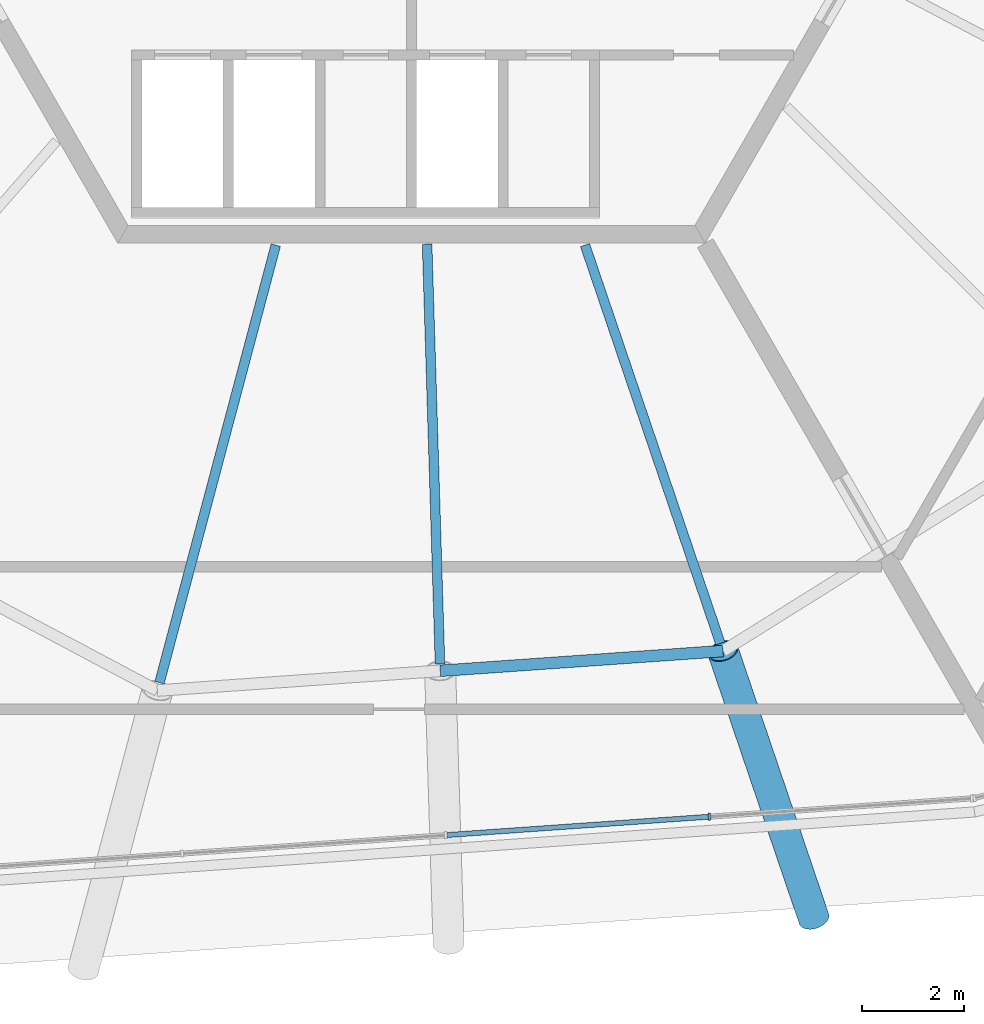
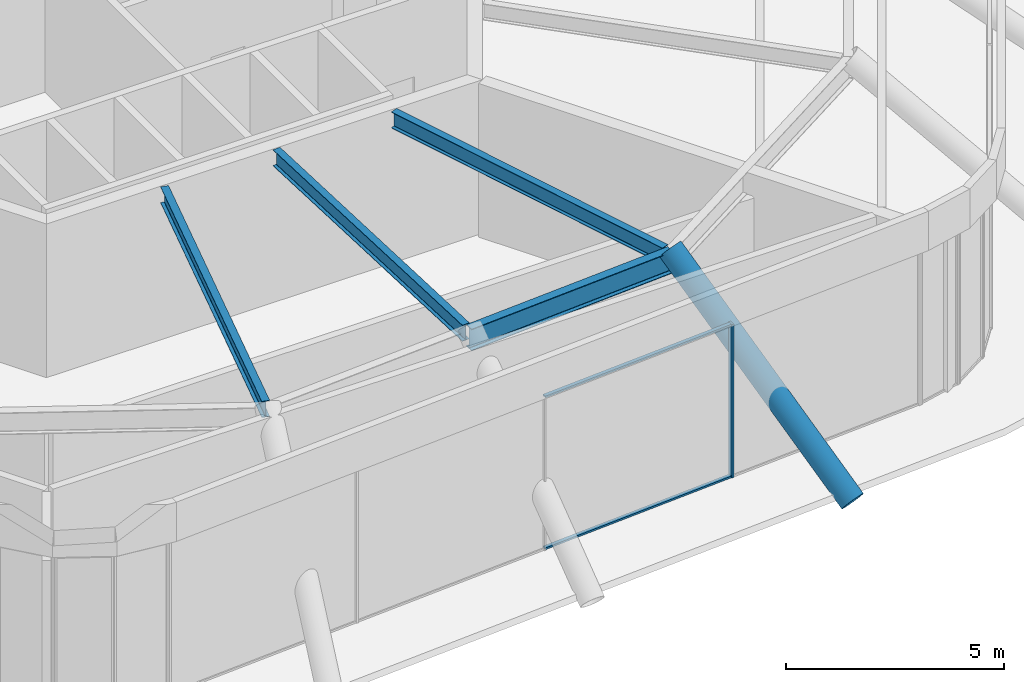
# One storey, part 2 of 13: 4 beams, 4 members, 1 element without a shape of its own.
"""IFC4 building model written with IfcOpenShell, lengths in metres."""

from ifc_helpers import new_model, si_unit, direction, frame, origin, origin_2d, place, context, subcontext, project, spatial, rectangle, hollow_circle, i_section, extrude, material, material_profile, profile_set, type_object, element, aggregate, save


model = new_model("IFC4")

# Units and contexts
model_context = context("Model", 3, precision=1e-05, world=origin(), true_north=direction((0.0, 1.0)))
body_context = subcontext(model_context, "Body", "Model", "MODEL_VIEW")
ifc_project = project(units=[si_unit("LENGTHUNIT", "METRE"), si_unit("AREAUNIT", "SQUARE_METRE"), si_unit("VOLUMEUNIT", "CUBIC_METRE"), si_unit("PLANEANGLEUNIT", "RADIAN"), si_unit("MASSUNIT", "GRAM", prefix="KILO")], contexts=[model_context])

# Site, building, storey
site_placement = place(None, origin())
site = spatial("IfcSite", under=ifc_project, at=site_placement, CompositionType="ELEMENT")
building_placement = place(site_placement, origin())
building = spatial("IfcBuilding", under=site, at=building_placement, Name="Tarnside Tower", CompositionType="ELEMENT")
storey_placement = place(building_placement, frame((0.0, 0.0, 388.199951171875)))
storey = spatial("IfcBuildingStorey", under=building, at=storey_placement, Name="L92", CompositionType="ELEMENT", Elevation=388.199951171875)

# Curtain wall, members
ifc_material_1 = material(Name="Crown glazing wall", Category="glass")
curtain_wall_type = type_object("IfcCurtainWallType", Name="Crown glazing wall", PredefinedType="NOTDEFINED", material=ifc_material_1)
curtain_wall_placement = place(storey_placement, origin())
curtain_wall = element("IfcCurtainWall", 1, at=curtain_wall_placement, inside=storey, type_object=curtain_wall_type, Name="Crown glazing L92 12", PredefinedType="NOTDEFINED")
ifc_material_2 = material(Name="Aluminium alloy 6063", Category="aluminium")
ifc_material_profile_1 = material_profile(ifc_material_2, rectangle(XDim=0.139892578125, YDim=0.050048828125, at=origin_2d()), Name="Crown glazing mullion 50 x 140")
ifc_profile_set_1 = profile_set([ifc_material_profile_1], Name="Aluminium alloy 6063")
member_type_1 = type_object("IfcMemberType", Name="Crown glazing mullion 50 x 140", PredefinedType="MULLION", material=ifc_profile_set_1)
member_1_placement = place(storey_placement, frame((5.85595703125, -21.2734375, 0.0), z_axis=(0.0, 0.0, 1.0), x_axis=(0.069756473744, -0.99756405026, 0.0)))
member_1 = element("IfcMember", 2, at=member_1_placement, type_object=member_type_1, Name="CW6 mullion 2", PredefinedType="MULLION", context=body_context, shape_type="SweptSolid", body=[
    extrude(rectangle(XDim=0.139892578125, YDim=0.050048828125, at=origin_2d()), origin(), (0.0, 0.0, 1.0), 4.300048828125),
])
ifc_material_profile_2 = material_profile(ifc_material_2, rectangle(XDim=0.10009765625, YDim=0.050048828125, at=origin_2d()), Name="Crown glazing transom 50 x 100")
ifc_profile_set_2 = profile_set([ifc_material_profile_2], Name="Aluminium alloy 6063")
member_type_2 = type_object("IfcMemberType", Name="Crown glazing transom 50 x 100", PredefinedType="USERDEFINED", material=ifc_profile_set_2)
member_2_placement = place(storey_placement, frame((5.8310546875, -21.275146484375, 0.025146484375), z_axis=(-0.997564055017, -0.069756405712, 0.0), x_axis=(0.069756405712, -0.997564055017, 0.0)))
member_2 = element("IfcMember", 3, at=member_2_placement, type_object=member_type_2, Name="CW6 transom 2.1", ObjectType="TRANSOM", PredefinedType="USERDEFINED", context=body_context, shape_type="SweptSolid", body=[
    extrude(rectangle(XDim=0.10009765625, YDim=0.050048828125, at=origin_2d()), origin(), (0.0, 0.0, 1.0), 5.144775390625),
])
member_3_placement = place(storey_placement, frame((5.8310546875, -21.275146484375, 4.275146484375), z_axis=(-0.997564055017, -0.069756405712, 0.0), x_axis=(0.069756405712, -0.997564055017, 0.0)))
member_3 = element("IfcMember", 4, at=member_3_placement, type_object=member_type_2, Name="CW6 transom 2.2", ObjectType="TRANSOM", PredefinedType="USERDEFINED", context=body_context, shape_type="SweptSolid", body=[
    extrude(rectangle(XDim=0.10009765625, YDim=0.050048828125, at=origin_2d()), origin(), (0.0, 0.0, 1.0), 5.144775390625),
])
aggregate(curtain_wall, [member_1, member_2, member_3])

# Beams
ifc_material_3 = material(Name="Steel S355", Category="steel")
ifc_material_profile_3 = material_profile(ifc_material_3, i_section(OverallWidth=0.18994140625, OverallDepth=0.453369140625, WebThickness=0.008544921875, FlangeThickness=0.0126953125, FilletRadius=0.01025390625, at=origin_2d()), Name="UB 457x191x67")
ifc_profile_set_3 = profile_set([ifc_material_profile_3], Name="Steel S355")
beam_type_1 = type_object("IfcBeamType", Name="Floor beam UB 457x191x67", PredefinedType="BEAM", material=ifc_profile_set_3)
beam_1_placement = place(storey_placement, frame((-4.953125, -18.638916015625, 4.0732421875), z_axis=(0.256820713964, 0.96645906322, 0.0), x_axis=(-0.96645906322, 0.256820713964, 0.0)))
element("IfcBeam", 5, at=beam_1_placement, inside=storey, type_object=beam_type_1, Name="Floor beam RB10", PredefinedType="BEAM", context=body_context, shape_type="SweptSolid", body=[
    extrude(i_section(OverallWidth=0.18994140625, OverallDepth=0.453369140625, WebThickness=0.008544921875, FlangeThickness=0.0126953125, FilletRadius=0.01025390625, at=origin_2d()), origin(), (0.0, 0.0, 1.0), 8.89892578125),
])
beam_2_placement = place(storey_placement, frame((0.560302734375, -18.271240234375, 4.0732421875), z_axis=(-0.030668763445, 0.999529602838, 0.0), x_axis=(-0.999529602838, -0.030668763445, 0.0)))
element("IfcBeam", 6, at=beam_2_placement, inside=storey, type_object=beam_type_1, Name="Floor beam RB11", PredefinedType="BEAM", context=body_context, shape_type="SweptSolid", body=[
    extrude(i_section(OverallWidth=0.18994140625, OverallDepth=0.453369140625, WebThickness=0.008544921875, FlangeThickness=0.0126953125, FilletRadius=0.01025390625, at=origin_2d()), origin(), (0.0, 0.0, 1.0), 8.255126953125),
])
beam_3_placement = place(storey_placement, frame((6.072021484375, -17.8671875, 4.0732421875), z_axis=(-0.321758229772, 0.946821863697, 0.0), x_axis=(-0.946821863697, -0.321758229772, 0.0)))
element("IfcBeam", 7, at=beam_3_placement, inside=storey, type_object=beam_type_1, Name="Floor beam RB12", PredefinedType="BEAM", context=body_context, shape_type="SweptSolid", body=[
    extrude(i_section(OverallWidth=0.18994140625, OverallDepth=0.453369140625, WebThickness=0.008544921875, FlangeThickness=0.0126953125, FilletRadius=0.01025390625, at=origin_2d()), origin(), (0.0, 0.0, 1.0), 8.26904296875),
])
ifc_material_profile_4 = material_profile(ifc_material_3, i_section(OverallWidth=0.228271484375, OverallDepth=0.607666015625, WebThickness=0.010986328125, FlangeThickness=0.017333984375, FilletRadius=0.0126953125, at=origin_2d()), Name="UB 610x229x113")
ifc_profile_set_4 = profile_set([ifc_material_profile_4], Name="Steel S355")
beam_type_2 = type_object("IfcBeamType", Name="Floor beam UB 610x229x113", PredefinedType="BEAM", material=ifc_profile_set_4)
beam_4_placement = place(storey_placement, frame((0.564208984375, -18.405517578125, 3.996337890625), z_axis=(0.997564548953, 0.069749341734, 0.0), x_axis=(-0.069749341734, 0.997564548953, 0.0)))
element("IfcBeam", 8, at=beam_4_placement, inside=storey, type_object=beam_type_2, Name="Floor beam R11", PredefinedType="BEAM", context=body_context, shape_type="SweptSolid", body=[
    extrude(i_section(OverallWidth=0.228271484375, OverallDepth=0.607666015625, WebThickness=0.010986328125, FlangeThickness=0.017333984375, FilletRadius=0.0126953125, at=origin_2d()), origin(), (0.0, 0.0, 1.0), 5.572509765625),
])

# Member
ifc_material_profile_5 = material_profile(ifc_material_3, hollow_circle(Radius=0.304931640625, WallThickness=0.02490234375, at=origin_2d()), Name="CHS 610x25")
ifc_profile_set_5 = profile_set([ifc_material_profile_5], Name="Steel S355")
member_type_3 = type_object("IfcMemberType", Name="Truss diagonal CHS 610x25", PredefinedType="BRACE", material=ifc_profile_set_5)
member_4_placement = place(storey_placement, frame((7.91162109375, -23.27978515625, -0.199951171875), z_axis=(-0.250089026456, 0.735895323958, 0.629216616932), x_axis=(-0.946817979915, -0.321769658155, 0.0)))
element("IfcMember", 9, at=member_4_placement, inside=storey, type_object=member_type_3, Name="Crown leg L92 12", PredefinedType="BRACE", context=body_context, shape_type="SweptSolid", body=[
    extrude(hollow_circle(Radius=0.304931640625, WallThickness=0.02490234375, at=origin_2d()), origin(), (0.0, 0.0, 1.0), 7.15185546875),
])

save(model, "model.ifc")
